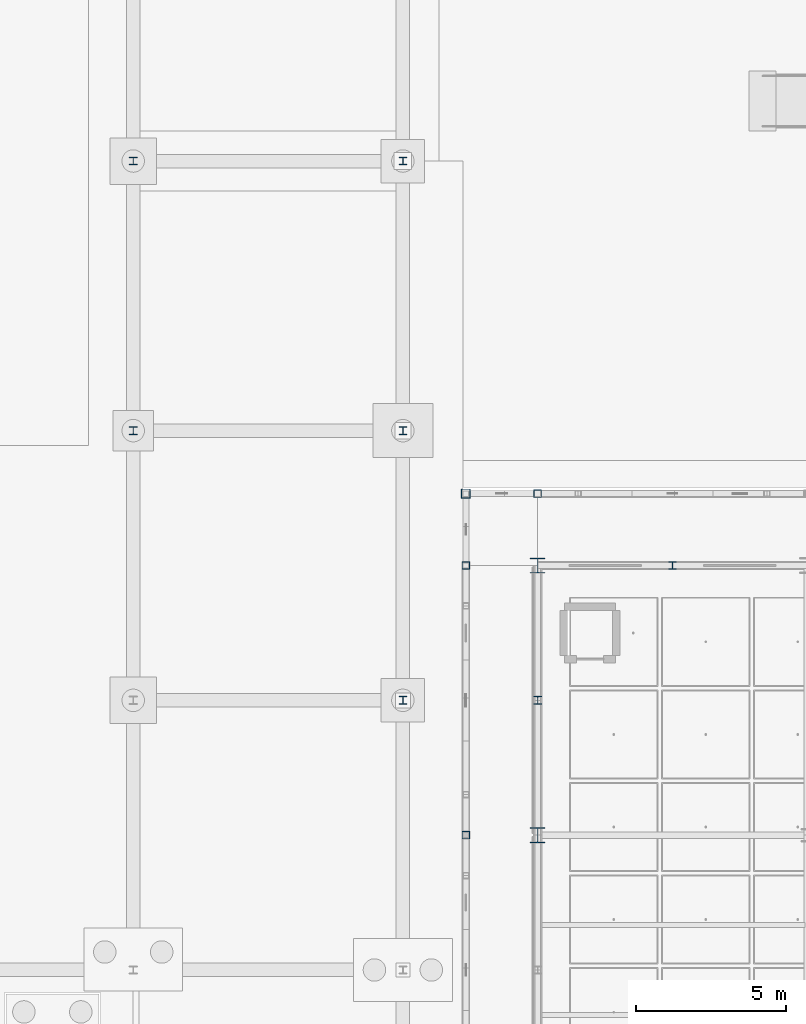
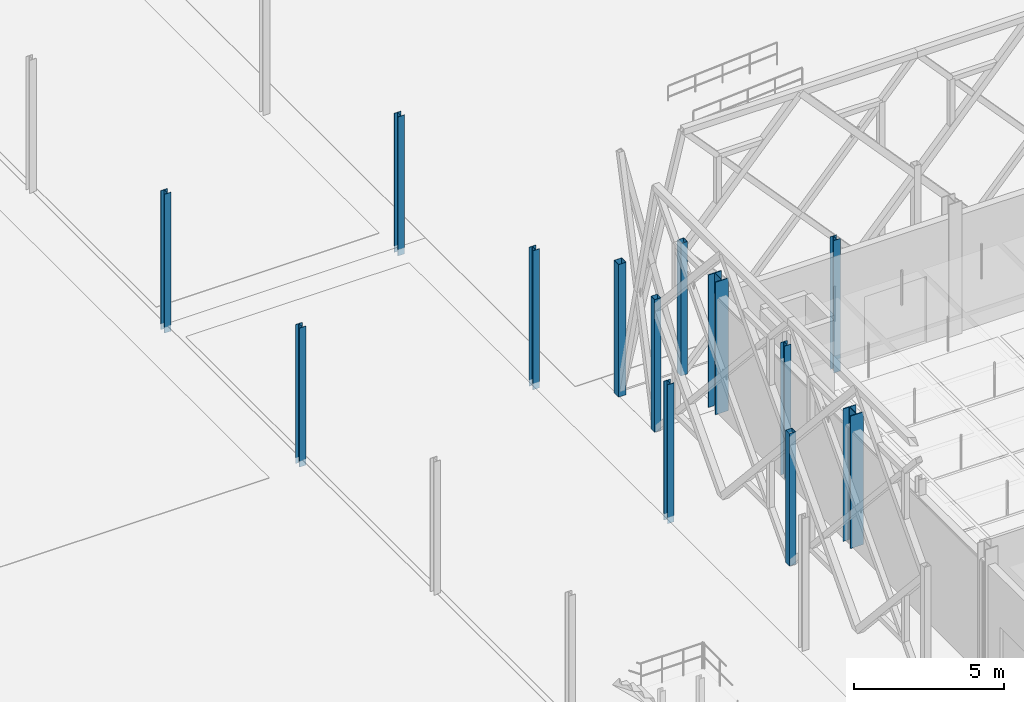
# One storey, part 8 of 180: 13 columns.
"""IFC4 building model written with IfcOpenShell, lengths in metres."""

import ifcopenshell
import ifcopenshell.guid

model = None  # the IFC model being written
_history = None  # IfcOwnerHistory: only IFC2X3 demands one
_inside = {}  # id of a spatial element -> (the spatial element, [elements in it])
_under = {}  # id of a project, library or spatial element -> (it, [spatial elements below it])
_declared = {}  # id of a project -> (the project, [libraries it declares])
_typed = {}  # id of a type object -> (the type object, [elements of that type])
_made_of = {}  # id of a material, layer set ... -> (it, [elements and type objects made of it])


def new_model(schema):
    """Start an empty IFC model of exactly this schema.

    Asked for "IFC4X3", IfcOpenShell would pick the latest addendum, in which some entities
    have other attributes; the version numbers below select the first issue.
    IFC2X3 requires an IfcOwnerHistory on every rooted entity: one is made here for all.
    """
    global model, _history
    if schema == "IFC4X3":
        model = ifcopenshell.file(schema_version=(4, 3, 0, 0))
    else:
        model = ifcopenshell.file(schema=schema)
    _inside.clear()
    _under.clear()
    _declared.clear()
    _typed.clear()
    _made_of.clear()
    _history = None
    if model.schema == "IFC2X3":
        org = make("IfcOrganization", Name="unknown")
        user = make(
            "IfcPersonAndOrganization",
            ThePerson=make("IfcPerson", FamilyName="unknown"),
            TheOrganization=org,
        )
        app = make(
            "IfcApplication",
            ApplicationDeveloper=org,
            Version="unknown",
            ApplicationFullName="unknown",
            ApplicationIdentifier="unknown",
        )
        _history = make(
            "IfcOwnerHistory",
            OwningUser=user,
            OwningApplication=app,
            ChangeAction="ADDED",
            CreationDate=0,
        )
    return model


def make(cls, **values):
    """One entity of the class cls with the attributes given. An attribute that is None is left unset."""
    return model.create_entity(
        cls, **{name: value for name, value in values.items() if value is not None}
    )


def rooted(cls, **values):
    """An entity with a GlobalId (a new one), such as an element, a storey or a relation."""
    return make(cls, GlobalId=ifcopenshell.guid.new(), OwnerHistory=_history, **values)


def si_unit(unit_type, name, prefix=None):
    """IfcSIUnit, for example si_unit("LENGTHUNIT", "METRE", prefix="MILLI")."""
    return make("IfcSIUnit", UnitType=unit_type, Prefix=prefix, Name=name)


def assignment(units):
    """IfcUnitAssignment: the units of a project."""
    return None if units is None else make("IfcUnitAssignment", Units=units)


def point(xyz):
    """IfcCartesianPoint."""
    return None if xyz is None else make("IfcCartesianPoint", Coordinates=xyz)


def direction(xyz):
    """IfcDirection."""
    return None if xyz is None else make("IfcDirection", DirectionRatios=xyz)


def frame(location, z_axis=None, x_axis=None):
    """IfcAxis2Placement3D, a coordinate frame: its origin and axes. An axis left out is left unset."""
    return make(
        "IfcAxis2Placement3D",
        Location=point(location),
        Axis=direction(z_axis),
        RefDirection=direction(x_axis),
    )


def frame_2d(location, x_axis=None):
    """IfcAxis2Placement2D, a coordinate frame in the plane: its origin and x axis."""
    return make(
        "IfcAxis2Placement2D", Location=point(location), RefDirection=direction(x_axis)
    )


def origin():
    """The frame at (0, 0, 0) with its axes left unset."""
    return frame((0.0, 0.0, 0.0))


def origin_2d():
    """The frame at (0, 0) in the plane with its x axis left unset."""
    return frame_2d((0.0, 0.0))


def place(relative_to, where):
    """IfcLocalPlacement: puts the frame where relative to a parent placement (None: the world)."""
    return make(
        "IfcLocalPlacement", PlacementRelTo=relative_to, RelativePlacement=where
    )


def context(
    kind, dimensions, precision=None, world=None, true_north=None, identifier=None
):
    """IfcGeometricRepresentationContext, for example the 3D "Model" context."""
    return make(
        "IfcGeometricRepresentationContext",
        ContextIdentifier=identifier,
        ContextType=kind,
        CoordinateSpaceDimension=dimensions,
        Precision=precision,
        WorldCoordinateSystem=world,
        TrueNorth=true_north,
    )


def subcontext(parent, identifier, kind, view, scale=None):
    """IfcGeometricRepresentationSubContext, for example "Body" below "Model"."""
    return make(
        "IfcGeometricRepresentationSubContext",
        ContextIdentifier=identifier,
        ContextType=kind,
        ParentContext=parent,
        TargetScale=scale,
        TargetView=view,
    )


def project(units=None, contexts=None):
    """IfcProject with its units and contexts."""
    return rooted(
        "IfcProject",
        Name="project",
        RepresentationContexts=contexts,
        UnitsInContext=assignment(units),
    )


def spatial(cls, under=None, at=None, **own):
    """A site, building, storey or space (cls), placed at a placement, below another one or the project."""
    s = rooted(cls, ObjectPlacement=at, **own)
    if under is not None:
        _under.setdefault(under.id(), (under, []))[1].append(s)
    return s


def profile(cls, at=None, kind="AREA", **sizes):
    """A parametric profile (cls). Its sizes go by their IFC names, for example OverallWidth=200.0."""
    return make(cls, ProfileType=kind, Position=at, **sizes)


def hollow_rectangle(**sizes):
    """IfcRectangleHollowProfileDef."""
    return profile("IfcRectangleHollowProfileDef", **sizes)


def i_section(**sizes):
    """IfcIShapeProfileDef."""
    return profile("IfcIShapeProfileDef", **sizes)


def extrude(swept, where, along, depth):
    """IfcExtrudedAreaSolid: the profile swept, set in the frame where, extruded along a direction by depth."""
    return make(
        "IfcExtrudedAreaSolid",
        SweptArea=swept,
        Position=where,
        ExtrudedDirection=direction(along),
        Depth=depth,
    )


def shape(context_of_items, identifier, shape_type, items):
    """IfcShapeRepresentation: the items that make up one representation, for example the "Body"."""
    return make(
        "IfcShapeRepresentation",
        ContextOfItems=context_of_items,
        RepresentationIdentifier=identifier,
        RepresentationType=shape_type,
        Items=items,
    )


def material(Name=None, Category=None):
    """IfcMaterial."""
    return make("IfcMaterial", Name=Name, Category=Category)


def material_profile(
    of_material, cross_section, Name=None, Category=None, Priority=None
):
    """IfcMaterialProfile: a cross section and its material."""
    return make(
        "IfcMaterialProfile",
        Name=Name,
        Material=of_material,
        Profile=cross_section,
        Priority=Priority,
        Category=Category,
    )


def profile_set(profiles, Name=None, composite=None):
    """IfcMaterialProfileSet."""
    return make(
        "IfcMaterialProfileSet",
        Name=Name,
        MaterialProfiles=profiles,
        CompositeProfile=composite,
    )


def made_of(thing, what):
    """Note that an element or type object is made of a material, layer set ...; save() writes the relation."""
    if what is not None:
        _made_of.setdefault(what.id(), (what, []))[1].append(thing)
    return thing


def type_object(cls, material=None, **own):
    """A type object (cls), such as IfcWallType, which elements share."""
    return made_of(rooted(cls, **own), material)


def element(
    cls,
    number,
    at=None,
    inside=None,
    cuts=None,
    type_object=None,
    material=None,
    context=None,
    identifier="Body",
    shape_type=None,
    held_by="IfcProductDefinitionShape",
    body=None,
    shapes=None,
    **own,
):
    """One element of the class cls, such as IfcWall. Its Tag is "e" and its number.

    at: its placement. inside: the storey or other place that contains it. cuts: it is an
    opening in that element (IfcRelVoidsElement). A single representation is given by context,
    identifier, shape_type and body (its items); several are given by shapes. held_by: the class
    of the entity that holds the representations. save() writes the other relations.
    """
    e = rooted(cls, Tag="e%d" % number, ObjectPlacement=at, **own)
    if body is not None:
        shapes = [shape(context, identifier, shape_type, body)]
    if shapes is not None:
        e.Representation = make(held_by, Representations=shapes)
    if inside is not None:
        _inside.setdefault(inside.id(), (inside, []))[1].append(e)
    if cuts is not None:
        rooted(
            "IfcRelVoidsElement", RelatingBuildingElement=cuts, RelatedOpeningElement=e
        )
    if type_object is not None:
        _typed.setdefault(type_object.id(), (type_object, []))[1].append(e)
    return made_of(e, material)


def aggregate(whole, parts):
    """IfcRelAggregates: a whole, such as a stair, and the parts it consists of."""
    return rooted("IfcRelAggregates", RelatingObject=whole, RelatedObjects=parts)


def save(model, path):
    """Write the relations noted so far, then the file.

    IfcRelAggregates (storeys below a building ...), IfcRelContainedInSpatialStructure (elements
    in a storey), IfcRelDefinesByType, IfcRelAssociatesMaterial and IfcRelDeclares: one each for
    every whole, place, type object, material and project.
    """
    for whole, parts in _under.values():
        aggregate(whole, parts)
    for where, things in _inside.values():
        rooted(
            "IfcRelContainedInSpatialStructure",
            RelatedElements=things,
            RelatingStructure=where,
        )
    for kind, things in _typed.values():
        rooted("IfcRelDefinesByType", RelatedObjects=things, RelatingType=kind)
    for what, things in _made_of.values():
        rooted("IfcRelAssociatesMaterial", RelatedObjects=things, RelatingMaterial=what)
    for by, libraries in _declared.values():
        rooted("IfcRelDeclares", RelatingContext=by, RelatedDefinitions=libraries)
    model.write(path)


model = new_model("IFC4")

# Units and contexts
model_context = context("Model", 3, precision=1e-05, world=origin(), true_north=direction((0.0, 1.0)))
body_context = subcontext(model_context, "Body", "Model", "MODEL_VIEW")
ifc_project = project(units=[si_unit("LENGTHUNIT", "METRE"), si_unit("AREAUNIT", "SQUARE_METRE"), si_unit("VOLUMEUNIT", "CUBIC_METRE"), si_unit("PLANEANGLEUNIT", "RADIAN"), si_unit("MASSUNIT", "GRAM", prefix="KILO"), si_unit("THERMODYNAMICTEMPERATUREUNIT", "KELVIN"), si_unit("POWERUNIT", "WATT")], contexts=[model_context])

# Site, building, storey
site_placement = place(None, origin())
site = spatial("IfcSite", under=ifc_project, at=site_placement, CompositionType="ELEMENT")
building_placement = place(site_placement, origin())
building = spatial("IfcBuilding", under=site, at=building_placement, Name="Tallowbark Science Centre", CompositionType="ELEMENT")
storey_placement = place(building_placement, origin())
storey = spatial("IfcBuildingStorey", under=building, at=storey_placement, Name="L00", CompositionType="ELEMENT", Elevation=0.0)

# Columns
ifc_material_1 = material(Name="White Architectural Painted Steel Grade C350L0 (350 MPa)", Category="steel")
ifc_material_profile_1 = material_profile(ifc_material_1, hollow_rectangle(XDim=0.25, YDim=0.25, WallThickness=0.009033203125, at=origin_2d()), Name="250x250x9.0SHS")
ifc_profile_set_1 = profile_set([ifc_material_profile_1], Name="White Architectural Painted Steel Grade C350L0 (350 MPa)")
column_type_1 = type_object("IfcColumnType", Name="COL-SCR200", PredefinedType="COLUMN", material=ifc_profile_set_1)
for number, where, z_axis, x_axis, name in (
    (1, (58.5, 42.89990234375, 0.0), (0.0, 0.0, 1.0), (1.0, 0.0, 0.0), "Column SCR-N01 L00"),
    (2, (56.10009765625, 31.5, 0.0), (0.0, 0.0, 1.0), (1.0, 0.0, 0.0), "Column SCR-W04 L00"),
    (3, (56.10009765625, 40.5, 0.0), (0.0, 0.0, 1.0), (1.0, 0.0, 0.0), "Column SCR-W05 L00"),
):
    element("IfcColumn", number, at=place(storey_placement, frame(where, z_axis=z_axis, x_axis=x_axis)), inside=storey, type_object=column_type_1, Name=name, PredefinedType="COLUMN", context=body_context, shape_type="SweptSolid", body=[
        extrude(hollow_rectangle(XDim=0.25, YDim=0.25, WallThickness=0.009033203125, at=origin_2d()), origin(), (0.0, 0.0, 1.0), 5.39990234375),
    ])
ifc_material_profile_2 = material_profile(ifc_material_1, hollow_rectangle(XDim=0.300048828125, YDim=0.300048828125, WallThickness=0.010009765625, at=origin_2d()), Name="300x300x10.0SHS")
ifc_profile_set_2 = profile_set([ifc_material_profile_2], Name="White Architectural Painted Steel Grade C350L0 (350 MPa)")
column_type_2 = type_object("IfcColumnType", Name="COL-SCR300", PredefinedType="COLUMN", material=ifc_profile_set_2)
column_placement = place(storey_placement, frame((56.10009765625, 42.89990234375, 0.0), z_axis=(0.0, 0.0, 1.0), x_axis=(1.0, 0.0, 0.0)))
element("IfcColumn", 4, at=column_placement, inside=storey, type_object=column_type_2, Name="Column SCR-N00 L00", PredefinedType="COLUMN", context=body_context, shape_type="SweptSolid", body=[
    extrude(hollow_rectangle(XDim=0.300048828125, YDim=0.300048828125, WallThickness=0.010009765625, at=origin_2d()), origin(), (0.0, 0.0, 1.0), 5.39990234375),
])
ifc_material_2 = material(Name="Structural Steel Grade 300PLUS (300 MPa)", Category="steel")
ifc_material_profile_3 = material_profile(ifc_material_2, i_section(OverallWidth=0.256103515625, OverallDepth=0.260009765625, WebThickness=0.010498046875, FlangeThickness=0.017333984375, FilletRadius=0.013916015625, at=origin_2d()), Name="250UC89.5")
ifc_profile_set_3 = profile_set([ifc_material_profile_3], Name="Structural Steel Grade 300PLUS (300 MPa)")
column_type_3 = type_object("IfcColumnType", Name="COL-UC250A", PredefinedType="COLUMN", material=ifc_profile_set_3)
for number, where, z_axis, x_axis, name in (
    (5, (54.0, 36.0, -0.260009765625), (0.0, 0.0, 1.0), (1.0, 0.0, 0.0), "Column PAS-E04 L00"),
    (6, (45.0, 45.0, -0.260009765625), (0.0, 0.0, 1.0), (1.0, 0.0, 0.0), "Column PAS-W05 L00"),
    (7, (54.0, 45.0, -0.260009765625), (0.0, 0.0, 1.0), (1.0, 0.0, 0.0), "Column PAS-E05 L00"),
    (8, (45.0, 54.0, -0.260009765625), (0.0, 0.0, 1.0), (1.0, 0.0, 0.0), "Column PAS-W06 L00"),
    (9, (54.0, 54.0, -0.260009765625), (0.0, 0.0, 1.0), (1.0, 0.0, 0.0), "Column PAS-E06 L00"),
):
    element("IfcColumn", number, at=place(storey_placement, frame(where, z_axis=z_axis, x_axis=x_axis)), inside=storey, type_object=column_type_3, Name=name, PredefinedType="COLUMN", context=body_context, shape_type="SweptSolid", body=[
        extrude(i_section(OverallWidth=0.256103515625, OverallDepth=0.260009765625, WebThickness=0.010498046875, FlangeThickness=0.017333984375, FilletRadius=0.013916015625, at=origin_2d()), origin(), (0.0, 0.0, 1.0), 5.659912109375),
    ])
ifc_material_profile_4 = material_profile(ifc_material_2, i_section(OverallWidth=0.5, OverallDepth=0.513916015625, WebThickness=0.02197265625, FlangeThickness=0.031982421875, FilletRadius=0.01611328125, at=origin_2d()), Name="500WC340")
ifc_profile_set_4 = profile_set([ifc_material_profile_4], Name="Structural Steel Grade 300PLUS (300 MPa)")
column_type_4 = type_object("IfcColumnType", Name="COL-WC500", PredefinedType="COLUMN", material=ifc_profile_set_4)
for number, where, z_axis, x_axis, name in (
    (10, (58.5, 31.5, 0.0), (0.0, 0.0, 1.0), (1.0, 0.0, 0.0), "Column CUB-M0_3 L00"),
    (11, (58.5, 40.5, 0.0), (0.0, 0.0, 1.0), (1.0, 0.0, 0.0), "Column CUB-M0_4 L00"),
):
    element("IfcColumn", number, at=place(storey_placement, frame(where, z_axis=z_axis, x_axis=x_axis)), inside=storey, type_object=column_type_4, Name=name, PredefinedType="COLUMN", context=body_context, shape_type="SweptSolid", body=[
        extrude(i_section(OverallWidth=0.5, OverallDepth=0.513916015625, WebThickness=0.02197265625, FlangeThickness=0.031982421875, FilletRadius=0.01611328125, at=origin_2d()), origin(), (0.0, 0.0, 1.0), 5.39990234375),
    ])
ifc_material_profile_5 = material_profile(ifc_material_2, i_section(OverallWidth=0.256103515625, OverallDepth=0.260009765625, WebThickness=0.010498046875, FlangeThickness=0.017333984375, FilletRadius=0.013916015625, at=origin_2d()), Name="250UC89.5")
ifc_profile_set_5 = profile_set([ifc_material_profile_5], Name="Structural Steel Grade 300PLUS (300 MPa)")
column_type_5 = type_object("IfcColumnType", Name="PIL-UC250", PredefinedType="PILASTER", material=ifc_profile_set_5)
for number, where, z_axis, x_axis, name in (
    (12, (63.0, 40.5, 0.0), (0.0, 0.0, 1.0), (1.0, 0.0, 0.0), "Column CUB-PN-0 L00"),
    (13, (58.5, 36.0, 0.0), (0.0, 0.0, 1.0), (1.0, 0.0, 0.0), "Column CUB-PW-3 L00"),
):
    element("IfcColumn", number, at=place(storey_placement, frame(where, z_axis=z_axis, x_axis=x_axis)), inside=storey, type_object=column_type_5, Name=name, PredefinedType="PILASTER", context=body_context, shape_type="SweptSolid", body=[
        extrude(i_section(OverallWidth=0.256103515625, OverallDepth=0.260009765625, WebThickness=0.010498046875, FlangeThickness=0.017333984375, FilletRadius=0.013916015625, at=origin_2d()), origin(), (0.0, 0.0, 1.0), 5.39990234375),
    ])

save(model, "model.ifc")
